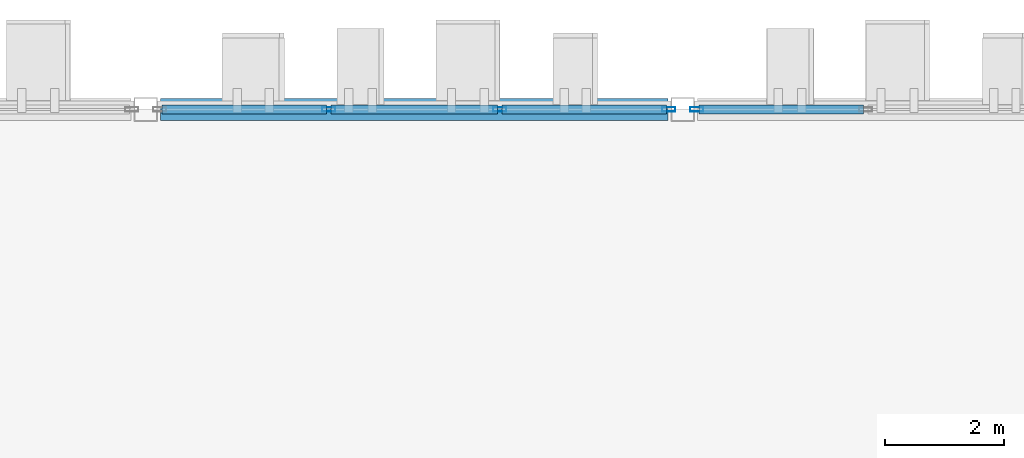
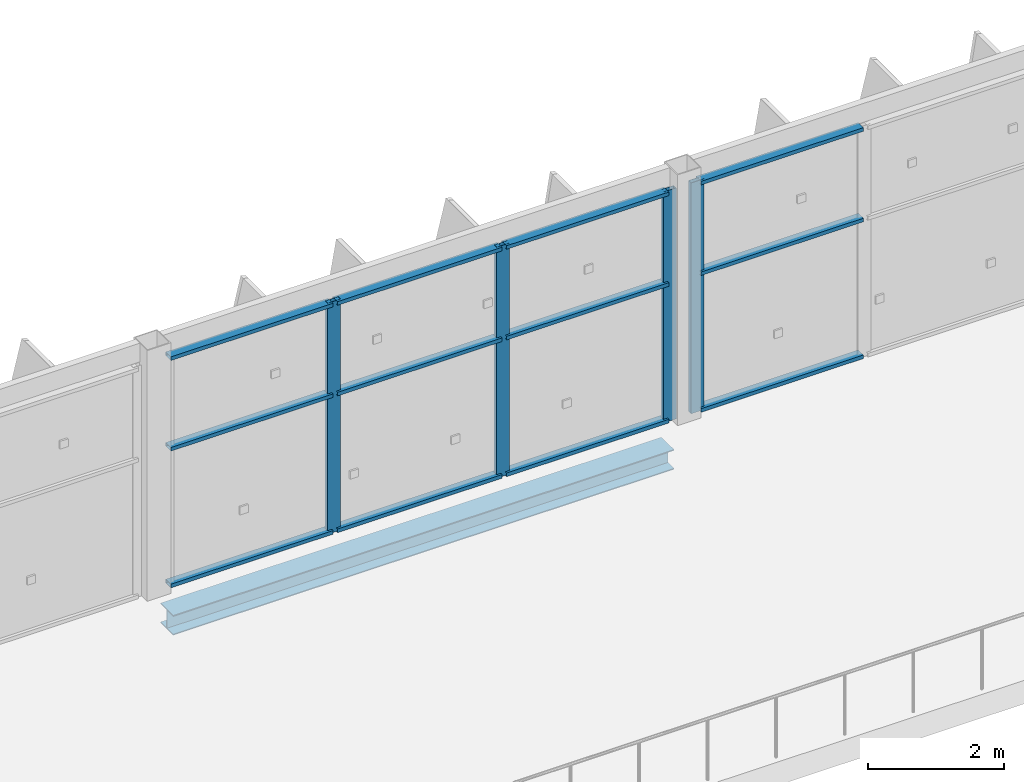
# One storey, part 82 of 151: 16 members, 1 beam, 2 elements without a shape of their own.
"""IFC4 building model written with IfcOpenShell, lengths in metres."""

from ifc_helpers import new_model, si_unit, direction, frame, origin, origin_2d, place, context, subcontext, project, spatial, hollow_rectangle, i_section, extrude, material, layer, layer_set, material_profile, profile_set, type_object, element, aggregate, save


model = new_model("IFC4")

# Units and contexts
model_context = context("Model", 3, precision=1e-05, world=origin(), true_north=direction((0.0, 1.0)))
body_context = subcontext(model_context, "Body", "Model", "MODEL_VIEW")
ifc_project = project(units=[si_unit("LENGTHUNIT", "METRE"), si_unit("AREAUNIT", "SQUARE_METRE"), si_unit("VOLUMEUNIT", "CUBIC_METRE"), si_unit("PLANEANGLEUNIT", "RADIAN"), si_unit("MASSUNIT", "GRAM", prefix="KILO")], contexts=[model_context])

# Site, building, storey
site_placement = place(None, origin())
site = spatial("IfcSite", under=ifc_project, at=site_placement, CompositionType="ELEMENT")
building_placement = place(site_placement, origin())
building = spatial("IfcBuilding", under=site, at=building_placement, Name="Celestram Park Convention Centre", CompositionType="ELEMENT")
storey_placement = place(building_placement, frame((0.0, 0.0, 10.800048828125)))
storey = spatial("IfcBuildingStorey", under=building, at=storey_placement, Name="L02", CompositionType="ELEMENT", Elevation=10.800048828125)

# Curtain wall, members
ifc_material_1 = material(Name="Anodised Aluminium Alloy 6063-T6", Category="aluminium")
ifc_layer = layer(ifc_material_1, 0.179931640625)
ifc_layer_set = layer_set([ifc_layer], Name="Anodised Aluminium Alloy 6063-T6")
curtain_wall_type = type_object("IfcCurtainWallType", Name="ARC-CW-860X414", PredefinedType="NOTDEFINED", material=ifc_layer_set)
curtain_wall_1_placement = place(storey_placement, origin())
curtain_wall_1 = element("IfcCurtainWall", 1, at=curtain_wall_1_placement, inside=storey, type_object=curtain_wall_type, Name="Unitised curtain wall CU-L02-166", PredefinedType="NOTDEFINED")
ifc_material_profile_1 = material_profile(ifc_material_1, hollow_rectangle(XDim=0.074951171875, YDim=0.219970703125, WallThickness=0.00390625, at=origin_2d()), Name="ALU75X220X4")
ifc_profile_set_1 = profile_set([ifc_material_profile_1], Name="Anodised Aluminium Alloy 6063-T6")
member_type_1 = type_object("IfcMemberType", Name="ARC-CWM-180", PredefinedType="MULLION", material=ifc_profile_set_1)
member_1_placement = place(storey_placement, frame((183.06591796875, 165.60009765625, 0.0), z_axis=(0.0, 0.0, 1.0), x_axis=(0.0, 1.0, 0.0)))
member_1 = element("IfcMember", 2, at=member_1_placement, type_object=member_type_1, Name="CW-86X41 mullion 2", PredefinedType="MULLION", context=body_context, shape_type="SweptSolid", body=[
    extrude(hollow_rectangle(XDim=0.074951171875, YDim=0.219970703125, WallThickness=0.00390625, at=origin_2d()), origin(), (0.0, 0.0, 1.0), 4.14404296875),
])
member_2_placement = place(storey_placement, frame((185.93408203125, 165.60009765625, 0.0), z_axis=(0.0, 0.0, 1.0), x_axis=(0.0, 1.0, 0.0)))
member_2 = element("IfcMember", 3, at=member_2_placement, type_object=member_type_1, Name="CW-86X41 mullion 3", PredefinedType="MULLION", context=body_context, shape_type="SweptSolid", body=[
    extrude(hollow_rectangle(XDim=0.074951171875, YDim=0.219970703125, WallThickness=0.00390625, at=origin_2d()), origin(), (0.0, 0.0, 1.0), 4.14404296875),
])
member_3_placement = place(storey_placement, frame((188.764404296875, 165.60009765625, 0.0), z_axis=(0.0, 0.0, 1.0), x_axis=(0.0, 1.0, 0.0)))
member_3 = element("IfcMember", 4, at=member_3_placement, type_object=member_type_1, Name="CW-86X41 mullion 4", PredefinedType="MULLION", context=body_context, shape_type="SweptSolid", body=[
    extrude(hollow_rectangle(XDim=0.074951171875, YDim=0.219970703125, WallThickness=0.00390625, at=origin_2d()), origin(), (0.0, 0.0, 1.0), 4.14404296875),
])

# Curtain wall, member
curtain_wall_2_placement = place(storey_placement, origin())
curtain_wall_2 = element("IfcCurtainWall", 5, at=curtain_wall_2_placement, inside=storey, type_object=curtain_wall_type, Name="Unitised curtain wall CU-L02-167", PredefinedType="NOTDEFINED")
member_4_placement = place(storey_placement, frame((189.235595703125, 165.60009765625, 0.0), z_axis=(0.0, 0.0, 1.0), x_axis=(0.0, 1.0, 0.0)))
member_4 = element("IfcMember", 6, at=member_4_placement, type_object=member_type_1, Name="CW-86X41 mullion 1", PredefinedType="MULLION", context=body_context, shape_type="SweptSolid", body=[
    extrude(hollow_rectangle(XDim=0.074951171875, YDim=0.219970703125, WallThickness=0.00390625, at=origin_2d()), origin(), (0.0, 0.0, 1.0), 4.14404296875),
])

# Member
ifc_material_profile_2 = material_profile(ifc_material_1, hollow_rectangle(XDim=0.14990234375, YDim=0.06494140625, WallThickness=0.0029296875, at=origin_2d()), Name="ALU150X65X3")
ifc_profile_set_2 = profile_set([ifc_material_profile_2], Name="Anodised Aluminium Alloy 6063-T6")
member_type_2 = type_object("IfcMemberType", Name="ARC-CWT-150", PredefinedType="USERDEFINED", material=ifc_profile_set_2)
member_5_placement = place(storey_placement, frame((180.27294921875, 165.60009765625, 0.032470703125), z_axis=(1.0, 0.0, 0.0), x_axis=(0.0, 1.0, 0.0)))
member_5 = element("IfcMember", 7, at=member_5_placement, type_object=member_type_2, Name="CW-86X41 transom 1.1", ObjectType="TRANSOM", PredefinedType="USERDEFINED", context=body_context, shape_type="SweptSolid", body=[
    extrude(hollow_rectangle(XDim=0.14990234375, YDim=0.06494140625, WallThickness=0.0029296875, at=origin_2d()), origin(), (0.0, 0.0, 1.0), 2.755615234375),
])

member_6_placement = place(storey_placement, frame((180.27294921875, 165.60009765625, 2.48583984375), z_axis=(1.0, 0.0, 0.0), x_axis=(0.0, 1.0, 0.0)))
member_6 = element("IfcMember", 8, at=member_6_placement, type_object=member_type_2, Name="CW-86X41 transom 1.2", ObjectType="TRANSOM", PredefinedType="USERDEFINED", context=body_context, shape_type="SweptSolid", body=[
    extrude(hollow_rectangle(XDim=0.14990234375, YDim=0.06494140625, WallThickness=0.0029296875, at=origin_2d()), origin(), (0.0, 0.0, 1.0), 2.755615234375),
])

member_7_placement = place(storey_placement, frame((180.27294921875, 165.60009765625, 4.111572265625), z_axis=(1.0, 0.0, 0.0), x_axis=(0.0, 1.0, 0.0)))
member_7 = element("IfcMember", 9, at=member_7_placement, type_object=member_type_2, Name="CW-86X41 transom 1.3", ObjectType="TRANSOM", PredefinedType="USERDEFINED", context=body_context, shape_type="SweptSolid", body=[
    extrude(hollow_rectangle(XDim=0.14990234375, YDim=0.06494140625, WallThickness=0.0029296875, at=origin_2d()), origin(), (0.0, 0.0, 1.0), 2.755615234375),
])

member_8_placement = place(storey_placement, frame((183.103515625, 165.60009765625, 0.032470703125), z_axis=(1.0, 0.0, 0.0), x_axis=(0.0, 1.0, 0.0)))
member_8 = element("IfcMember", 10, at=member_8_placement, type_object=member_type_2, Name="CW-86X41 transom 2.1", ObjectType="TRANSOM", PredefinedType="USERDEFINED", context=body_context, shape_type="SweptSolid", body=[
    extrude(hollow_rectangle(XDim=0.14990234375, YDim=0.06494140625, WallThickness=0.0029296875, at=origin_2d()), origin(), (0.0, 0.0, 1.0), 2.79296875),
])

member_9_placement = place(storey_placement, frame((183.103515625, 165.60009765625, 2.48583984375), z_axis=(1.0, 0.0, 0.0), x_axis=(0.0, 1.0, 0.0)))
member_9 = element("IfcMember", 11, at=member_9_placement, type_object=member_type_2, Name="CW-86X41 transom 2.2", ObjectType="TRANSOM", PredefinedType="USERDEFINED", context=body_context, shape_type="SweptSolid", body=[
    extrude(hollow_rectangle(XDim=0.14990234375, YDim=0.06494140625, WallThickness=0.0029296875, at=origin_2d()), origin(), (0.0, 0.0, 1.0), 2.79296875),
])

member_10_placement = place(storey_placement, frame((183.103515625, 165.60009765625, 4.111572265625), z_axis=(1.0, 0.0, 0.0), x_axis=(0.0, 1.0, 0.0)))
member_10 = element("IfcMember", 12, at=member_10_placement, type_object=member_type_2, Name="CW-86X41 transom 2.3", ObjectType="TRANSOM", PredefinedType="USERDEFINED", context=body_context, shape_type="SweptSolid", body=[
    extrude(hollow_rectangle(XDim=0.14990234375, YDim=0.06494140625, WallThickness=0.0029296875, at=origin_2d()), origin(), (0.0, 0.0, 1.0), 2.79296875),
])

member_11_placement = place(storey_placement, frame((185.971435546875, 165.60009765625, 0.032470703125), z_axis=(1.0, 0.0, 0.0), x_axis=(0.0, 1.0, 0.0)))
member_11 = element("IfcMember", 13, at=member_11_placement, type_object=member_type_2, Name="CW-86X41 transom 3.1", ObjectType="TRANSOM", PredefinedType="USERDEFINED", context=body_context, shape_type="SweptSolid", body=[
    extrude(hollow_rectangle(XDim=0.14990234375, YDim=0.06494140625, WallThickness=0.0029296875, at=origin_2d()), origin(), (0.0, 0.0, 1.0), 2.755615234375),
])

member_12_placement = place(storey_placement, frame((185.971435546875, 165.60009765625, 2.48583984375), z_axis=(1.0, 0.0, 0.0), x_axis=(0.0, 1.0, 0.0)))
member_12 = element("IfcMember", 14, at=member_12_placement, type_object=member_type_2, Name="CW-86X41 transom 3.2", ObjectType="TRANSOM", PredefinedType="USERDEFINED", context=body_context, shape_type="SweptSolid", body=[
    extrude(hollow_rectangle(XDim=0.14990234375, YDim=0.06494140625, WallThickness=0.0029296875, at=origin_2d()), origin(), (0.0, 0.0, 1.0), 2.755615234375),
])

member_13_placement = place(storey_placement, frame((185.971435546875, 165.60009765625, 4.111572265625), z_axis=(1.0, 0.0, 0.0), x_axis=(0.0, 1.0, 0.0)))
member_13 = element("IfcMember", 15, at=member_13_placement, type_object=member_type_2, Name="CW-86X41 transom 3.3", ObjectType="TRANSOM", PredefinedType="USERDEFINED", context=body_context, shape_type="SweptSolid", body=[
    extrude(hollow_rectangle(XDim=0.14990234375, YDim=0.06494140625, WallThickness=0.0029296875, at=origin_2d()), origin(), (0.0, 0.0, 1.0), 2.755615234375),
])

aggregate(curtain_wall_1, [member_1, member_2, member_3, member_5, member_6, member_7, member_8, member_9, member_10, member_11, member_12, member_13])

member_14_placement = place(storey_placement, frame((189.27294921875, 165.60009765625, 0.032470703125), z_axis=(1.0, 0.0, 0.0), x_axis=(0.0, 1.0, 0.0)))
member_14 = element("IfcMember", 16, at=member_14_placement, type_object=member_type_2, Name="CW-86X41 transom 1.1", ObjectType="TRANSOM", PredefinedType="USERDEFINED", context=body_context, shape_type="SweptSolid", body=[
    extrude(hollow_rectangle(XDim=0.14990234375, YDim=0.06494140625, WallThickness=0.0029296875, at=origin_2d()), origin(), (0.0, 0.0, 1.0), 2.755615234375),
])

member_15_placement = place(storey_placement, frame((189.27294921875, 165.60009765625, 2.48583984375), z_axis=(1.0, 0.0, 0.0), x_axis=(0.0, 1.0, 0.0)))
member_15 = element("IfcMember", 17, at=member_15_placement, type_object=member_type_2, Name="CW-86X41 transom 1.2", ObjectType="TRANSOM", PredefinedType="USERDEFINED", context=body_context, shape_type="SweptSolid", body=[
    extrude(hollow_rectangle(XDim=0.14990234375, YDim=0.06494140625, WallThickness=0.0029296875, at=origin_2d()), origin(), (0.0, 0.0, 1.0), 2.755615234375),
])

member_16_placement = place(storey_placement, frame((189.27294921875, 165.60009765625, 4.111572265625), z_axis=(1.0, 0.0, 0.0), x_axis=(0.0, 1.0, 0.0)))
member_16 = element("IfcMember", 18, at=member_16_placement, type_object=member_type_2, Name="CW-86X41 transom 1.3", ObjectType="TRANSOM", PredefinedType="USERDEFINED", context=body_context, shape_type="SweptSolid", body=[
    extrude(hollow_rectangle(XDim=0.14990234375, YDim=0.06494140625, WallThickness=0.0029296875, at=origin_2d()), origin(), (0.0, 0.0, 1.0), 2.755615234375),
])

aggregate(curtain_wall_2, [member_4, member_14, member_15, member_16])

# Beam
ifc_material_2 = material(Name="Steel ASTM A992 Grade 50", Category="steel")
ifc_material_profile_3 = material_profile(ifc_material_2, i_section(OverallWidth=0.367919921875, OverallDepth=0.35595703125, WebThickness=0.01123046875, FlangeThickness=0.01806640625, at=origin_2d()), Name="W14X90")
ifc_profile_set_3 = profile_set([ifc_material_profile_3], Name="Steel ASTM A992 Grade 50")
beam_type = type_object("IfcBeamType", Name="STR-SPN-W14X90", PredefinedType="SPANDREL", material=ifc_profile_set_3)
beam_placement = place(storey_placement, frame((180.248046875, 165.60009765625, -0.59814453125), z_axis=(1.0, 0.0, 0.0), x_axis=(0.0, 1.0, 0.0)))
element("IfcBeam", 19, at=beam_placement, inside=storey, type_object=beam_type, Name="Primary X-girder BG-L02-0322", PredefinedType="SPANDREL", context=body_context, shape_type="SweptSolid", body=[
    extrude(i_section(OverallWidth=0.367919921875, OverallDepth=0.35595703125, WebThickness=0.01123046875, FlangeThickness=0.01806640625, at=origin_2d()), origin(), (0.0, 0.0, 1.0), 8.50390625),
])

save(model, "model.ifc")
